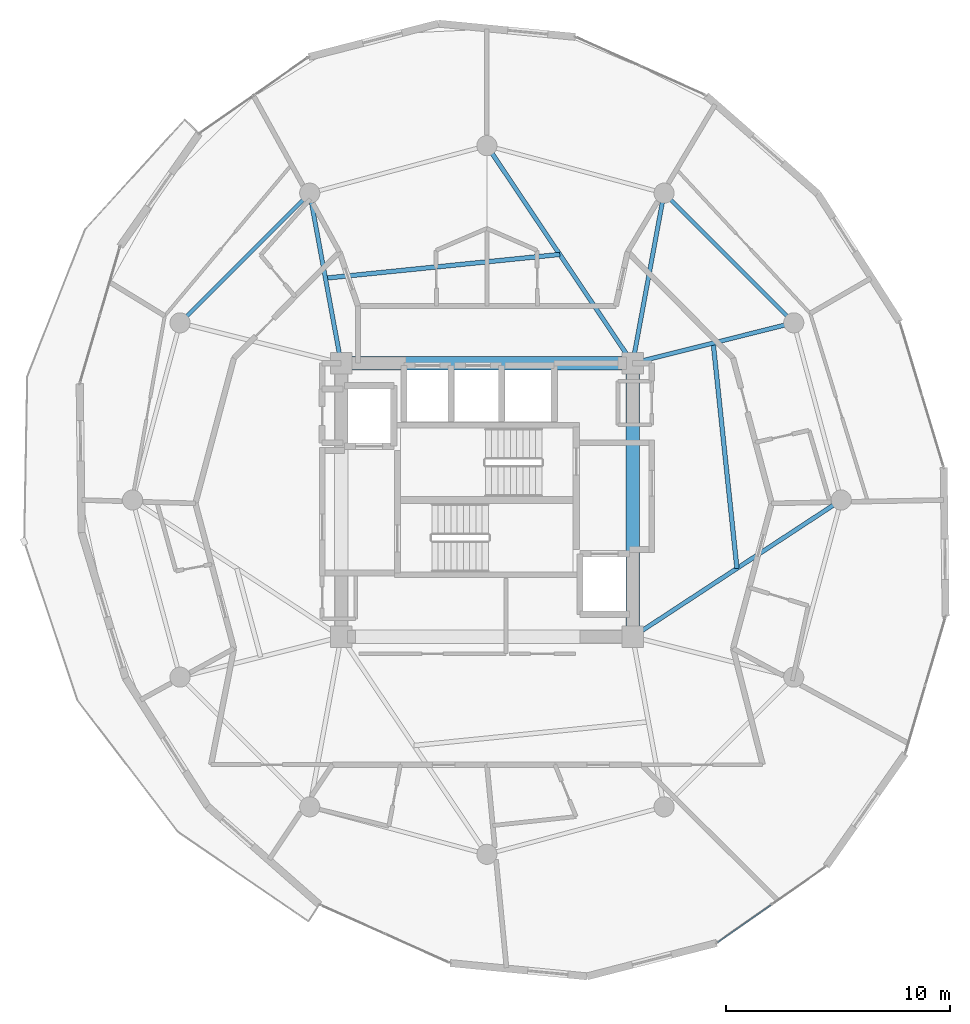
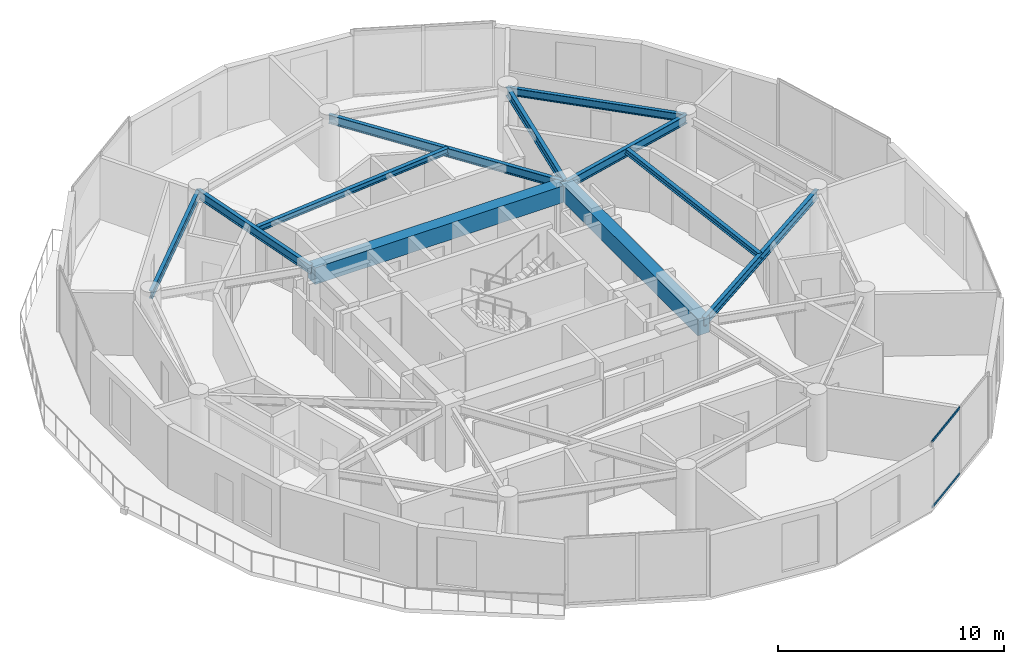
# One storey, part 8 of 21: 11 beams, 2 members, 1 element without a shape of its own.
"""IFC4 building model written with IfcOpenShell, lengths in metres."""

from ifc_helpers import new_model, si_unit, direction, frame, origin, origin_2d, place, context, subcontext, project, spatial, rectangle, hollow_rectangle, i_section, extrude, source, transform, mapped, material, layer, layer_set, material_profile, profile_set, type_object, element, aggregate, save


model = new_model("IFC4")

# Units and contexts
model_context = context("Model", 3, precision=1e-05, world=origin(), true_north=direction((0.0, 1.0)))
body_context = subcontext(model_context, "Body", "Model", "MODEL_VIEW")
ifc_project = project(units=[si_unit("LENGTHUNIT", "METRE"), si_unit("AREAUNIT", "SQUARE_METRE"), si_unit("VOLUMEUNIT", "CUBIC_METRE"), si_unit("PLANEANGLEUNIT", "RADIAN"), si_unit("MASSUNIT", "GRAM", prefix="KILO")], contexts=[model_context])

# Site, building, storey
site_placement = place(None, origin())
site = spatial("IfcSite", under=ifc_project, at=site_placement, CompositionType="ELEMENT")
building_placement = place(site_placement, origin())
building = spatial("IfcBuilding", under=site, at=building_placement, Name="Solvirekh Grand Hotel", CompositionType="ELEMENT")
storey_placement = place(building_placement, frame((0.0, 0.0, 205.60009765625)))
storey = spatial("IfcBuildingStorey", under=building, at=storey_placement, Name="L53", CompositionType="ELEMENT", Elevation=205.60009765625)

# Beams
ifc_material_1 = material(Name="Concrete C50/60", Category="concrete")
ifc_material_profile_1 = material_profile(ifc_material_1, rectangle(XDim=0.60009765625, YDim=0.89990234375, at=origin_2d()), Name="RC BEAM 600X900")
ifc_profile_set_1 = profile_set([ifc_material_profile_1], Name="Concrete C50/60")
beam_type_1 = type_object("IfcBeamType", Name="Beam_Core_RC900", PredefinedType="BEAM", material=ifc_profile_set_1)
beam_1_placement = place(storey_placement, frame((6.5, -6.10009765625, 2.909912109375), z_axis=(0.0, 1.0, 0.0), x_axis=(-1.0, 0.0, 0.0)))
element("IfcBeam", 1, at=beam_1_placement, inside=storey, type_object=beam_type_1, Name="L53 core coupling ring beam 2", PredefinedType="BEAM", context=body_context, shape_type="SweptSolid", body=[
    extrude(rectangle(XDim=0.60009765625, YDim=0.89990234375, at=origin_2d()), origin(), (0.0, 0.0, 1.0), 12.2001953125),
])
beam_2_placement = place(storey_placement, frame((6.5, 6.10009765625, 2.909912109375), z_axis=(-1.0, 0.0, 0.0), x_axis=(0.0, -1.0, 0.0)))
element("IfcBeam", 2, at=beam_2_placement, inside=storey, type_object=beam_type_1, Name="L53 core coupling ring beam 3", PredefinedType="BEAM", context=body_context, shape_type="SweptSolid", body=[
    extrude(rectangle(XDim=0.60009765625, YDim=0.89990234375, at=origin_2d()), origin(), (0.0, 0.0, 1.0), 13.0),
])
ifc_material_2 = material(Name="Steel S355", Category="steel")
ifc_material_profile_2 = material_profile(ifc_material_2, i_section(OverallWidth=0.194091796875, OverallDepth=0.468994140625, WebThickness=0.010986328125, FlangeThickness=0.01904296875, FilletRadius=0.012939453125, at=origin_2d()), Name="W460X106")
ifc_profile_set_2 = profile_set([ifc_material_profile_2], Name="Steel S355")
beam_type_2 = type_object("IfcBeamType", Name="Beam_Radial_W460H", PredefinedType="BEAM", material=ifc_profile_set_2)
beam_3_placement = place(storey_placement, frame((6.5, -6.10009765625, 3.1259765625), z_axis=(0.836174064962, 0.548464158432, 0.0), x_axis=(-0.548464158432, 0.836174064962, 0.0)))
element("IfcBeam", 3, at=beam_3_placement, inside=storey, type_object=beam_type_2, Name="L53 radial floor beam R01", PredefinedType="BEAM", context=body_context, shape_type="SweptSolid", body=[
    extrude(i_section(OverallWidth=0.194091796875, OverallDepth=0.468994140625, WebThickness=0.010986328125, FlangeThickness=0.01904296875, FilletRadius=0.012939453125, at=origin_2d()), origin(), (0.0, 0.0, 1.0), 11.1220703125),
])
beam_4_placement = place(storey_placement, frame((6.5, 6.10009765625, 3.1259765625), z_axis=(0.970014367692, 0.243047580675, 0.0), x_axis=(-0.243047580675, 0.970014367692, 0.0)))
element("IfcBeam", 4, at=beam_4_placement, inside=storey, type_object=beam_type_2, Name="L53 radial floor beam R02", PredefinedType="BEAM", context=body_context, shape_type="SweptSolid", body=[
    extrude(i_section(OverallWidth=0.194091796875, OverallDepth=0.468994140625, WebThickness=0.010986328125, FlangeThickness=0.01904296875, FilletRadius=0.012939453125, at=origin_2d()), origin(), (0.0, 0.0, 1.0), 7.4052734375),
])
beam_5_placement = place(storey_placement, frame((6.5, 6.10009765625, 3.1259765625), z_axis=(0.181542769111, 0.983383049978, 0.0), x_axis=(-0.983383049978, 0.181542769111, 0.0)))
element("IfcBeam", 5, at=beam_5_placement, inside=storey, type_object=beam_type_2, Name="L53 radial floor beam R03", PredefinedType="BEAM", context=body_context, shape_type="SweptSolid", body=[
    extrude(i_section(OverallWidth=0.194091796875, OverallDepth=0.468994140625, WebThickness=0.010986328125, FlangeThickness=0.01904296875, FilletRadius=0.012939453125, at=origin_2d()), origin(), (0.0, 0.0, 1.0), 7.711181640625),
])
beam_6_placement = place(storey_placement, frame((6.5, 6.10009765625, 3.1259765625), z_axis=(-0.556676926176, 0.830729077295, 0.0), x_axis=(-0.830729077295, -0.556676926176, 0.0)))
element("IfcBeam", 6, at=beam_6_placement, inside=storey, type_object=beam_type_2, Name="L53 radial floor beam R04", PredefinedType="BEAM", context=body_context, shape_type="SweptSolid", body=[
    extrude(i_section(OverallWidth=0.194091796875, OverallDepth=0.468994140625, WebThickness=0.010986328125, FlangeThickness=0.01904296875, FilletRadius=0.012939453125, at=origin_2d()), origin(), (0.0, 0.0, 1.0), 11.676513671875),
])
beam_7_placement = place(storey_placement, frame((-6.5, 6.10009765625, 3.1259765625), z_axis=(-0.181542769111, 0.983383049978, 0.0), x_axis=(-0.983383049978, -0.181542769111, 0.0)))
element("IfcBeam", 7, at=beam_7_placement, inside=storey, type_object=beam_type_2, Name="L53 radial floor beam R05", PredefinedType="BEAM", context=body_context, shape_type="SweptSolid", body=[
    extrude(i_section(OverallWidth=0.194091796875, OverallDepth=0.468994140625, WebThickness=0.010986328125, FlangeThickness=0.01904296875, FilletRadius=0.012939453125, at=origin_2d()), origin(), (0.0, 0.0, 1.0), 7.711181640625),
])
ifc_material_profile_3 = material_profile(ifc_material_2, i_section(OverallWidth=0.202880859375, OverallDepth=0.302978515625, WebThickness=0.008056640625, FlangeThickness=0.012939453125, FilletRadius=0.010009765625, at=origin_2d()), Name="W310X60")
ifc_profile_set_3 = profile_set([ifc_material_profile_3], Name="Steel S355")
beam_type_3 = type_object("IfcBeamType", Name="Joist_Floor_W310", PredefinedType="JOIST", material=ifc_profile_set_3)
beam_8_placement = place(storey_placement, frame((11.14990234375, -3.050048828125, 3.208984375), z_axis=(-0.1047765874, 0.994495785176, 0.0), x_axis=(-0.994495785176, -0.1047765874, 0.0)))
element("IfcBeam", 8, at=beam_8_placement, inside=storey, type_object=beam_type_3, Name="L53 secondary composite floor joist 1", PredefinedType="JOIST", context=body_context, shape_type="SweptSolid", body=[
    extrude(i_section(OverallWidth=0.202880859375, OverallDepth=0.302978515625, WebThickness=0.008056640625, FlangeThickness=0.012939453125, FilletRadius=0.010009765625, at=origin_2d()), origin(), (0.0, 0.0, 1.0), 10.105712890625),
])
beam_9_placement = place(storey_placement, frame((3.25, 10.949951171875, 3.208984375), z_axis=(-0.994915167737, -0.100716478326, 0.0), x_axis=(0.100716478326, -0.994915167737, 0.0)))
element("IfcBeam", 9, at=beam_9_placement, inside=storey, type_object=beam_type_3, Name="L53 secondary composite floor joist 4", PredefinedType="JOIST", context=body_context, shape_type="SweptSolid", body=[
    extrude(i_section(OverallWidth=0.202880859375, OverallDepth=0.302978515625, WebThickness=0.008056640625, FlangeThickness=0.012939453125, FilletRadius=0.010009765625, at=origin_2d()), origin(), (0.0, 0.0, 1.0), 10.50341796875),
])
ifc_material_profile_4 = material_profile(ifc_material_2, i_section(OverallWidth=0.180908203125, OverallDepth=0.4169921875, WebThickness=0.010009765625, FlangeThickness=0.01611328125, FilletRadius=0.011962890625, at=origin_2d()), Name="W410X85")
ifc_profile_set_4 = profile_set([ifc_material_profile_4], Name="Steel S355")
beam_type_4 = type_object("IfcBeamType", Name="Spandrel_Ring_W410", PredefinedType="SPANDREL", material=ifc_profile_set_4)
for number, where, z_axis, x_axis, name in (
    (10, (13.68310546875, 7.89990234375, 3.15185546875), (-0.707106781187, 0.707106781187, 0.0), (-0.707106781187, -0.707106781187, 0.0), "L53 perimeter spandrel beam 2"),
    (11, (-7.89990234375, 13.68310546875, 3.15185546875), (-0.707106781187, -0.707106781187, 0.0), (0.707106781187, -0.707106781187, 0.0), "L53 perimeter spandrel beam 5"),
):
    element("IfcBeam", number, at=place(storey_placement, frame(where, z_axis=z_axis, x_axis=x_axis)), inside=storey, type_object=beam_type_4, Name=name, PredefinedType="SPANDREL", context=body_context, shape_type="SweptSolid", body=[
        extrude(i_section(OverallWidth=0.180908203125, OverallDepth=0.4169921875, WebThickness=0.010009765625, FlangeThickness=0.01611328125, FilletRadius=0.011962890625, at=origin_2d()), origin(), (0.0, 0.0, 1.0), 8.1787109375),
    ])

# Curtain wall, members
ifc_material_3 = material(Name="Anodized Bronze Aluminium 6063-T6", Category="aluminium")
ifc_layer = layer(ifc_material_3, 0.159912109375)
ifc_layer_set = layer_set([ifc_layer], Name="Anodized Bronze Aluminium 6063-T6")
curtain_wall_type = type_object("IfcCurtainWallType", Name="CW_Sys4_HighZoneFlushBronzeCW", PredefinedType="NOTDEFINED", material=ifc_layer_set)
curtain_wall_placement = place(storey_placement, origin())
curtain_wall = element("IfcCurtainWall", 12, at=curtain_wall_placement, inside=storey, type_object=curtain_wall_type, Name="L53 unitised bronze-glass curtain wall CW-L53-C01", PredefinedType="NOTDEFINED")
ifc_material_profile_5 = material_profile(ifc_material_3, hollow_rectangle(XDim=0.054931640625, YDim=0.1201171875, WallThickness=0.00390625, at=origin_2d()), Name="ALU RHS 120X55X4")
ifc_profile_set_5 = profile_set([ifc_material_profile_5], Name="Anodized Bronze Aluminium 6063-T6")
member_type = type_object("IfcMemberType", Name="CWTransom_Sys4", PredefinedType="USERDEFINED", material=ifc_profile_set_5)
shared_shape = source(origin(), body_context, "Body", "SweptSolid", [
    extrude(hollow_rectangle(XDim=0.054931640625, YDim=0.1201171875, WallThickness=0.00390625, at=origin_2d()), origin(), (0.0, 0.0, 1.0), 2.8935546875),
])
member_1_placement = place(storey_placement, frame((10.295166015625, -19.72265625, 0.02734375), z_axis=(0.81920417183, 0.573501983307, 0.0), x_axis=(-0.573501983307, 0.81920417183, 0.0)))
member_1 = element("IfcMember", 13, at=member_1_placement, type_object=member_type, Name="U04 transom 1.1", ObjectType="TRANSOM", PredefinedType="USERDEFINED", context=body_context, shape_type="MappedRepresentation", body=[
    mapped(shared_shape, transform((0.0, 0.0, 0.0), x_axis=(1.0, 0.0, 0.0), y_axis=(0.0, 1.0, 0.0), z_axis=(0.0, 0.0, 1.0), scale=1.0)),
])
member_2_placement = place(storey_placement, frame((10.295166015625, -19.72265625, 3.572509765625), z_axis=(0.81920417183, 0.573501983307, 0.0), x_axis=(-0.573501983307, 0.81920417183, 0.0)))
member_2 = element("IfcMember", 14, at=member_2_placement, type_object=member_type, Name="U04 transom 1.2", ObjectType="TRANSOM", PredefinedType="USERDEFINED", context=body_context, shape_type="MappedRepresentation", body=[
    mapped(shared_shape, transform((0.0, 0.0, 0.0), x_axis=(1.0, 0.0, 0.0), y_axis=(0.0, 1.0, 0.0), z_axis=(0.0, 0.0, 1.0), scale=1.0)),
])
aggregate(curtain_wall, [member_1, member_2])

save(model, "model.ifc")
